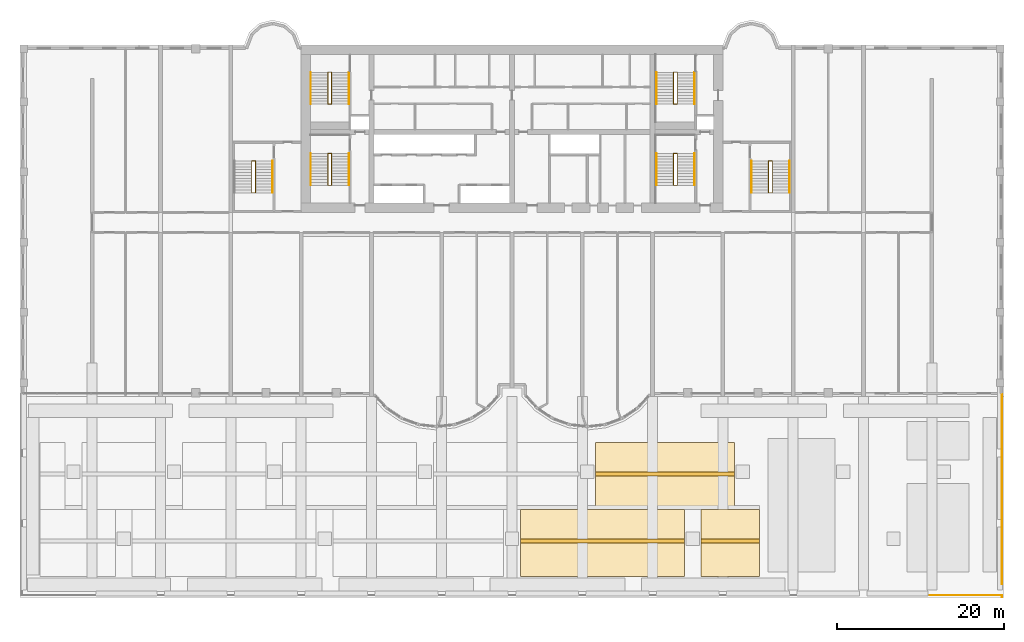
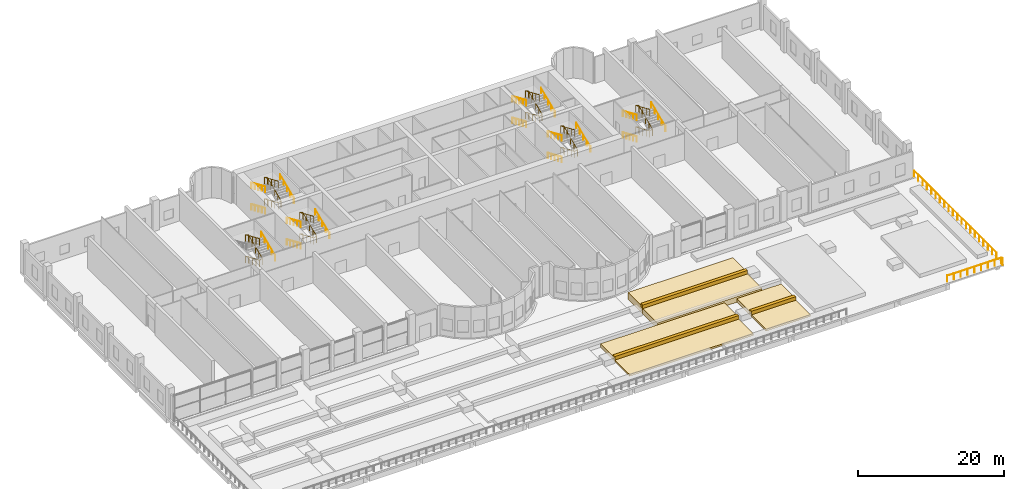
# One storey, part 19 of 20: 24 railings, 9 coverings.
"""IFC4 building model written with IfcOpenShell, lengths in metres."""

from ifc_helpers import new_model, si_unit, direction, frame, origin, origin_2d, place, context, subcontext, project, spatial, rectangle, circle, extrude, source, transform, mapped, material, layer, layer_set, type_object, element, save


model = new_model("IFC4")

# Units and contexts
model_context = context("Model", 3, precision=1e-05, world=origin(), true_north=direction((0.0, 1.0)))
body_context = subcontext(model_context, "Body", "Model", "MODEL_VIEW")
ifc_project = project(units=[si_unit("LENGTHUNIT", "METRE"), si_unit("AREAUNIT", "SQUARE_METRE"), si_unit("VOLUMEUNIT", "CUBIC_METRE"), si_unit("PLANEANGLEUNIT", "RADIAN"), si_unit("MASSUNIT", "GRAM", prefix="KILO")], contexts=[model_context])

# Site, building, storey
site_placement = place(None, origin())
site = spatial("IfcSite", under=ifc_project, at=site_placement, CompositionType="ELEMENT")
building_placement = place(site_placement, origin())
building = spatial("IfcBuilding", under=site, at=building_placement, Name="Vanashikhar Sky Hotel", CompositionType="ELEMENT")
storey_placement = place(building_placement, frame((0.0, 0.0, 6.0)))
storey = spatial("IfcBuildingStorey", under=building, at=storey_placement, Name="L01", CompositionType="ELEMENT", Elevation=6.0)

# Coverings
ifc_material_1 = material(Name="Paving stone", Category="masonry")
ifc_layer = layer(ifc_material_1, 0.14990234375)
ifc_layer_set = layer_set([ifc_layer], Name="Garden terrace step paving")
covering_type_1 = type_object("IfcCoveringType", Name="Garden terrace step paving", PredefinedType="FLOORING", material=ifc_layer_set)
shared_shape_1 = source(origin(), body_context, "Body", "SweptSolid", [
    extrude(rectangle(XDim=19.60009765625, YDim=4.0, at=origin_2d()), origin(), (0.0, 0.0, 1.0), 0.300048828125),
])
covering_1_placement = place(storey_placement, frame((61.199951171875, -19.5, 0.0), z_axis=(0.0, 0.0, 1.0), x_axis=(1.0, 0.0, 0.0)))
element("IfcCovering", 1, at=covering_1_placement, inside=storey, type_object=covering_type_1, Name="Garden terrace step paving", PredefinedType="FLOORING", context=body_context, shape_type="MappedRepresentation", body=[
    mapped(shared_shape_1, transform((0.0, 0.0, 0.0), scale=1.0)),
])
shared_shape_2 = source(origin(), body_context, "Body", "SweptSolid", [
    extrude(rectangle(XDim=7.0, YDim=4.0, at=origin_2d()), origin(), (0.0, 0.0, 1.0), 0.300048828125),
])
covering_2_placement = place(storey_placement, frame((76.5, -19.5, 0.0), z_axis=(0.0, 0.0, 1.0), x_axis=(1.0, 0.0, 0.0)))
element("IfcCovering", 2, at=covering_2_placement, inside=storey, type_object=covering_type_1, Name="Garden terrace step paving", PredefinedType="FLOORING", context=body_context, shape_type="MappedRepresentation", body=[
    mapped(shared_shape_2, transform((0.0, 0.0, 0.0), scale=1.0)),
])
shared_shape_3 = source(origin(), body_context, "Body", "SweptSolid", [
    extrude(rectangle(XDim=19.60009765625, YDim=4.0, at=origin_2d()), origin(), (0.0, 0.0, 1.0), 0.60009765625),
])
covering_3_placement = place(storey_placement, frame((61.199951171875, -15.5, 0.0), z_axis=(0.0, 0.0, 1.0), x_axis=(1.0, 0.0, 0.0)))
element("IfcCovering", 3, at=covering_3_placement, inside=storey, type_object=covering_type_1, Name="Garden terrace step paving", PredefinedType="FLOORING", context=body_context, shape_type="MappedRepresentation", body=[
    mapped(shared_shape_3, transform((0.0, 0.0, 0.0), scale=1.0)),
])
shared_shape_4 = source(origin(), body_context, "Body", "SweptSolid", [
    extrude(rectangle(XDim=7.0, YDim=4.0, at=origin_2d()), origin(), (0.0, 0.0, 1.0), 0.60009765625),
])
covering_4_placement = place(storey_placement, frame((76.5, -15.5, 0.0), z_axis=(0.0, 0.0, 1.0), x_axis=(1.0, 0.0, 0.0)))
element("IfcCovering", 4, at=covering_4_placement, inside=storey, type_object=covering_type_1, Name="Garden terrace step paving", PredefinedType="FLOORING", context=body_context, shape_type="MappedRepresentation", body=[
    mapped(shared_shape_4, transform((0.0, 0.0, 0.0), scale=1.0)),
])
ifc_material_2 = material(Name="Concrete M50 precast", Category="concrete")
covering_type_2 = type_object("IfcCoveringType", Name="Garden planter wall", PredefinedType="CLADDING", material=ifc_material_2)
shared_shape_5 = source(origin(), body_context, "Body", "SweptSolid", [
    extrude(rectangle(XDim=19.60009765625, YDim=0.5, at=origin_2d()), origin(), (0.0, 0.0, 1.0), 0.60009765625),
])
covering_5_placement = place(storey_placement, frame((61.199951171875, -17.25, 0.300048828125), z_axis=(0.0, 0.0, 1.0), x_axis=(1.0, 0.0, 0.0)))
element("IfcCovering", 5, at=covering_5_placement, inside=storey, type_object=covering_type_2, Name="Garden planter wall", PredefinedType="CLADDING", context=body_context, shape_type="MappedRepresentation", body=[
    mapped(shared_shape_5, transform((0.0, 0.0, 0.0), scale=1.0)),
])
shared_shape_6 = source(origin(), body_context, "Body", "SweptSolid", [
    extrude(rectangle(XDim=7.0, YDim=0.5, at=origin_2d()), origin(), (0.0, 0.0, 1.0), 0.60009765625),
])
covering_6_placement = place(storey_placement, frame((76.5, -17.25, 0.300048828125), z_axis=(0.0, 0.0, 1.0), x_axis=(1.0, 0.0, 0.0)))
element("IfcCovering", 6, at=covering_6_placement, inside=storey, type_object=covering_type_2, Name="Garden planter wall", PredefinedType="CLADDING", context=body_context, shape_type="MappedRepresentation", body=[
    mapped(shared_shape_6, transform((0.0, 0.0, 0.0), scale=1.0)),
])
shared_shape_7 = source(origin(), body_context, "Body", "SweptSolid", [
    extrude(rectangle(XDim=16.60009765625, YDim=4.0, at=origin_2d()), origin(), (0.0, 0.0, 1.0), 0.89990234375),
])
covering_7_placement = place(storey_placement, frame((68.699951171875, -11.5, 0.0), z_axis=(0.0, 0.0, 1.0), x_axis=(1.0, 0.0, 0.0)))
element("IfcCovering", 7, at=covering_7_placement, inside=storey, type_object=covering_type_1, Name="Garden terrace step paving", PredefinedType="FLOORING", context=body_context, shape_type="MappedRepresentation", body=[
    mapped(shared_shape_7, transform((0.0, 0.0, 0.0), scale=1.0)),
])
shared_shape_8 = source(origin(), body_context, "Body", "SweptSolid", [
    extrude(rectangle(XDim=16.60009765625, YDim=4.0, at=origin_2d()), origin(), (0.0, 0.0, 1.0), 1.199951171875),
])
covering_8_placement = place(storey_placement, frame((68.699951171875, -7.5, 0.0), z_axis=(0.0, 0.0, 1.0), x_axis=(1.0, 0.0, 0.0)))
element("IfcCovering", 8, at=covering_8_placement, inside=storey, type_object=covering_type_1, Name="Garden terrace step paving", PredefinedType="FLOORING", context=body_context, shape_type="MappedRepresentation", body=[
    mapped(shared_shape_8, transform((0.0, 0.0, 0.0), scale=1.0)),
])
shared_shape_9 = source(origin(), body_context, "Body", "SweptSolid", [
    extrude(rectangle(XDim=16.60009765625, YDim=0.5, at=origin_2d()), origin(), (0.0, 0.0, 1.0), 0.60009765625),
])
covering_9_placement = place(storey_placement, frame((68.699951171875, -9.25, 0.89990234375), z_axis=(0.0, 0.0, 1.0), x_axis=(1.0, 0.0, 0.0)))
element("IfcCovering", 9, at=covering_9_placement, inside=storey, type_object=covering_type_2, Name="Garden planter wall", PredefinedType="CLADDING", context=body_context, shape_type="MappedRepresentation", body=[
    mapped(shared_shape_9, transform((0.0, 0.0, 0.0), scale=1.0)),
])

# Railings
ifc_material_3 = material(Name="Stainless steel 316", Category="steel")
railing_type_1 = type_object("IfcRailingType", Name="Deck guard 1100", PredefinedType="GUARDRAIL", material=ifc_material_3)
shared_shape_10 = source(origin(), body_context, "Body", "SweptSolid", [
    extrude(circle(Radius=0.02392578125, at=origin_2d()), frame((0.0, 0.0, 1.076171875), z_axis=(1.0, 0.0, 0.0), x_axis=(0.0, 1.0, 0.0)), (0.0, 0.0, 1.0), 8.58984375),
    extrude(circle(Radius=0.02392578125, at=origin_2d()), frame((8.58984375, 0.0, 1.076171875), z_axis=(0.0, -1.0, 0.0), x_axis=(1.0, 0.0, 0.0)), (0.0, 0.0, 1.0), 0.25),
    extrude(circle(Radius=0.02099609375, at=origin_2d()), origin(), (0.0, 0.0, 1.0), 1.052001953125),
    extrude(circle(Radius=0.02099609375, at=origin_2d()), frame((1.07373046875, 0.0, 0.0)), (0.0, 0.0, 1.0), 1.052001953125),
    extrude(circle(Radius=0.02099609375, at=origin_2d()), frame((2.1474609375, 0.0, 0.0)), (0.0, 0.0, 1.0), 1.052001953125),
    extrude(circle(Radius=0.02099609375, at=origin_2d()), frame((3.22119140625, 0.0, 0.0)), (0.0, 0.0, 1.0), 1.052001953125),
    extrude(circle(Radius=0.02099609375, at=origin_2d()), frame((4.294921875, 0.0, 0.0)), (0.0, 0.0, 1.0), 1.052001953125),
    extrude(circle(Radius=0.02099609375, at=origin_2d()), frame((5.36865234375, 0.0, 0.0)), (0.0, 0.0, 1.0), 1.052001953125),
    extrude(circle(Radius=0.02099609375, at=origin_2d()), frame((6.4423828125, 0.0, 0.0)), (0.0, 0.0, 1.0), 1.052001953125),
    extrude(circle(Radius=0.02099609375, at=origin_2d()), frame((7.51611328125, 0.0, 0.0)), (0.0, 0.0, 1.0), 1.052001953125),
    extrude(circle(Radius=0.02099609375, at=origin_2d()), frame((8.58984375, 0.0, 0.0)), (0.0, 0.0, 1.0), 1.052001953125),
    extrude(circle(Radius=0.02099609375, at=origin_2d()), frame((8.58984375, -0.25, 0.0)), (0.0, 0.0, 1.0), 1.052001953125),
])
railing_1_placement = place(storey_placement, frame((100.360107421875, -23.75, 0.0)))
element("IfcRailing", 10, at=railing_1_placement, inside=storey, type_object=railing_type_1, Name="Deck guard", PredefinedType="GUARDRAIL", context=body_context, shape_type="MappedRepresentation", body=[
    mapped(shared_shape_10, transform((0.0, 0.0, 0.0), scale=1.0)),
])
shared_shape_11 = source(origin(), body_context, "Body", "SweptSolid", [
    extrude(circle(Radius=0.02392578125, at=origin_2d()), frame((0.0, 0.0, 1.076171875), z_axis=(0.0, 1.0, 0.0), x_axis=(-1.0, 0.0, 0.0)), (0.0, 0.0, 1.0), 22.64990234375),
    extrude(circle(Radius=0.02099609375, at=origin_2d()), origin(), (0.0, 0.0, 1.0), 1.052001953125),
    extrude(circle(Radius=0.02099609375, at=origin_2d()), frame((0.0, 1.192138671875, 0.0)), (0.0, 0.0, 1.0), 1.052001953125),
    extrude(circle(Radius=0.02099609375, at=origin_2d()), frame((0.0, 2.38427734375, 0.0)), (0.0, 0.0, 1.0), 1.052001953125),
    extrude(circle(Radius=0.02099609375, at=origin_2d()), frame((0.0, 3.576416015625, 0.0)), (0.0, 0.0, 1.0), 1.052001953125),
    extrude(circle(Radius=0.02099609375, at=origin_2d()), frame((0.0, 4.768310546875, 0.0)), (0.0, 0.0, 1.0), 1.052001953125),
    extrude(circle(Radius=0.02099609375, at=origin_2d()), frame((0.0, 5.96044921875, 0.0)), (0.0, 0.0, 1.0), 1.052001953125),
    extrude(circle(Radius=0.02099609375, at=origin_2d()), frame((0.0, 7.152587890625, 0.0)), (0.0, 0.0, 1.0), 1.052001953125),
    extrude(circle(Radius=0.02099609375, at=origin_2d()), frame((0.0, 8.3447265625, 0.0)), (0.0, 0.0, 1.0), 1.052001953125),
    extrude(circle(Radius=0.02099609375, at=origin_2d()), frame((0.0, 9.536865234375, 0.0)), (0.0, 0.0, 1.0), 1.052001953125),
    extrude(circle(Radius=0.02099609375, at=origin_2d()), frame((0.0, 10.72900390625, 0.0)), (0.0, 0.0, 1.0), 1.052001953125),
    extrude(circle(Radius=0.02099609375, at=origin_2d()), frame((0.0, 11.9208984375, 0.0)), (0.0, 0.0, 1.0), 1.052001953125),
    extrude(circle(Radius=0.02099609375, at=origin_2d()), frame((0.0, 13.113037109375, 0.0)), (0.0, 0.0, 1.0), 1.052001953125),
    extrude(circle(Radius=0.02099609375, at=origin_2d()), frame((0.0, 14.30517578125, 0.0)), (0.0, 0.0, 1.0), 1.052001953125),
    extrude(circle(Radius=0.02099609375, at=origin_2d()), frame((0.0, 15.497314453125, 0.0)), (0.0, 0.0, 1.0), 1.052001953125),
    extrude(circle(Radius=0.02099609375, at=origin_2d()), frame((0.0, 16.689453125, 0.0)), (0.0, 0.0, 1.0), 1.052001953125),
    extrude(circle(Radius=0.02099609375, at=origin_2d()), frame((0.0, 17.881591796875, 0.0)), (0.0, 0.0, 1.0), 1.052001953125),
    extrude(circle(Radius=0.02099609375, at=origin_2d()), frame((0.0, 19.073486328125, 0.0)), (0.0, 0.0, 1.0), 1.052001953125),
    extrude(circle(Radius=0.02099609375, at=origin_2d()), frame((0.0, 20.265625, 0.0)), (0.0, 0.0, 1.0), 1.052001953125),
    extrude(circle(Radius=0.02099609375, at=origin_2d()), frame((0.0, 21.457763671875, 0.0)), (0.0, 0.0, 1.0), 1.052001953125),
    extrude(circle(Radius=0.02099609375, at=origin_2d()), frame((0.0, 22.64990234375, 0.0)), (0.0, 0.0, 1.0), 1.052001953125),
])
railing_2_placement = place(storey_placement, frame((108.949951171875, -22.39990234375, 0.0)))
element("IfcRailing", 11, at=railing_2_placement, inside=storey, type_object=railing_type_1, Name="Deck guard", PredefinedType="GUARDRAIL", context=body_context, shape_type="MappedRepresentation", body=[
    mapped(shared_shape_11, transform((0.0, 0.0, 0.0), scale=1.0)),
])
ifc_material_4 = material(Name="Steel S355", Category="steel")
railing_type_2 = type_object("IfcRailingType", Name="Stair guard 1100", PredefinedType="GUARDRAIL", material=ifc_material_4)
shared_shape_12 = source(origin(), body_context, "Body", "SweptSolid", [
    extrude(circle(Radius=0.02392578125, at=origin_2d()), frame((0.0, 0.0, 1.076171875), z_axis=(-0.948786153043, 0.0, 0.315919033605), x_axis=(0.0, -1.0, 0.0)), (0.0, 0.0, 1.0), 0.474609375),
    extrude(circle(Radius=0.02392578125, at=origin_2d()), frame((-0.4501953125, 0.0, 1.22607421875), z_axis=(0.0, -0.917250781605, 0.398310185215), x_axis=(1.0, 0.0, 0.0)), (0.0, 0.0, 1.0), 4.142822265625),
    extrude(circle(Radius=0.02392578125, at=origin_2d()), frame((-0.4501953125, -3.800048828125, 2.8759765625), z_axis=(0.948786153043, 0.0, 0.315919033605), x_axis=(0.0, 1.0, 0.0)), (0.0, 0.0, 1.0), 0.474609375),
    extrude(circle(Radius=0.02392578125, at=origin_2d()), frame((0.0, -3.800048828125, 3.02587890625), z_axis=(0.0, 0.917250781605, 0.398310185215), x_axis=(-1.0, 0.0, 0.0)), (0.0, 0.0, 1.0), 4.142822265625),
    extrude(circle(Radius=0.02392578125, at=origin_2d()), frame((0.0, 0.0, 4.67626953125), z_axis=(-0.948786153043, 0.0, 0.315919033605), x_axis=(0.0, -1.0, 0.0)), (0.0, 0.0, 1.0), 0.474609375),
    extrude(circle(Radius=0.02392578125, at=origin_2d()), frame((-0.4501953125, 0.0, 4.826171875), z_axis=(0.0, -0.91727231099, 0.398260602484), x_axis=(1.0, 0.0, 0.0)), (0.0, 0.0, 1.0), 4.142822265625),
    extrude(circle(Radius=0.02099609375, at=origin_2d()), origin(), (0.0, 0.0, 1.0), 1.052001953125),
    extrude(circle(Radius=0.02099609375, at=origin_2d()), frame((-0.4501953125, 0.0, 0.14990234375)), (0.0, 0.0, 1.0), 1.052001953125),
    extrude(circle(Radius=0.02099609375, at=origin_2d()), frame((-0.4501953125, -0.949951171875, 0.5625)), (0.0, 0.0, 1.0), 1.052001953125),
    extrude(circle(Radius=0.02099609375, at=origin_2d()), frame((-0.4501953125, -1.89990234375, 0.97509765625)), (0.0, 0.0, 1.0), 1.052001953125),
    extrude(circle(Radius=0.02099609375, at=origin_2d()), frame((-0.4501953125, -2.85009765625, 1.387451171875)), (0.0, 0.0, 1.0), 1.052001953125),
    extrude(circle(Radius=0.02099609375, at=origin_2d()), frame((-0.4501953125, -3.800048828125, 1.800048828125)), (0.0, 0.0, 1.0), 1.052001953125),
    extrude(circle(Radius=0.02099609375, at=origin_2d()), frame((0.0, -3.800048828125, 1.949951171875)), (0.0, 0.0, 1.0), 1.052001953125),
    extrude(circle(Radius=0.02099609375, at=origin_2d()), frame((0.0, -2.85009765625, 2.362548828125)), (0.0, 0.0, 1.0), 1.052001953125),
    extrude(circle(Radius=0.02099609375, at=origin_2d()), frame((0.0, -1.89990234375, 2.77490234375)), (0.0, 0.0, 1.0), 1.052001953125),
    extrude(circle(Radius=0.02099609375, at=origin_2d()), frame((0.0, -0.949951171875, 3.1875)), (0.0, 0.0, 1.0), 1.052001953125),
    extrude(circle(Radius=0.02099609375, at=origin_2d()), frame((0.0, 0.0, 3.60009765625)), (0.0, 0.0, 1.0), 1.052001953125),
    extrude(circle(Radius=0.02099609375, at=origin_2d()), frame((-0.4501953125, 0.0, 3.75)), (0.0, 0.0, 1.0), 1.052001953125),
    extrude(circle(Radius=0.02099609375, at=origin_2d()), frame((-0.4501953125, -0.949951171875, 4.16259765625)), (0.0, 0.0, 1.0), 1.052001953125),
    extrude(circle(Radius=0.02099609375, at=origin_2d()), frame((-0.4501953125, -1.89990234375, 4.574951171875)), (0.0, 0.0, 1.0), 1.052001953125),
    extrude(circle(Radius=0.02099609375, at=origin_2d()), frame((-0.4501953125, -2.85009765625, 4.9873046875)), (0.0, 0.0, 1.0), 1.052001953125),
    extrude(circle(Radius=0.02099609375, at=origin_2d()), frame((-0.4501953125, -3.800048828125, 5.39990234375)), (0.0, 0.0, 1.0), 1.052001953125),
])
for number, where, name in (
    (12, (28.85009765625, 29.050048828125, 0.0), "Exit stair 1 guard"),
    (13, (28.85009765625, 38.75, 0.0), "Exit stair 5 guard"),
):
    element("IfcRailing", number, at=place(storey_placement, frame(where)), inside=storey, type_object=railing_type_2, Name=name, PredefinedType="GUARDRAIL", context=body_context, shape_type="MappedRepresentation", body=[
        mapped(shared_shape_12, transform((0.0, 0.0, 0.0), scale=1.0)),
    ])
railing_type_3 = type_object("IfcRailingType", Name="Stair handrail 900", PredefinedType="HANDRAIL", material=ifc_material_4)
shared_shape_13 = source(origin(), body_context, "Body", "SweptSolid", [
    extrude(circle(Radius=0.02392578125, at=origin_2d()), frame((0.0, 0.0, 0.8759765625), z_axis=(0.0, -0.917250781605, 0.398310185215), x_axis=(1.0, 0.0, 0.0)), (0.0, 0.0, 1.0), 4.142822265625),
    extrude(circle(Radius=0.02099609375, at=origin_2d()), origin(), (0.0, 0.0, 1.0), 0.851806640625),
    extrude(circle(Radius=0.02099609375, at=origin_2d()), frame((0.0, -0.949951171875, 0.41259765625)), (0.0, 0.0, 1.0), 0.851806640625),
    extrude(circle(Radius=0.02099609375, at=origin_2d()), frame((0.0, -1.89990234375, 0.8251953125)), (0.0, 0.0, 1.0), 0.851806640625),
    extrude(circle(Radius=0.02099609375, at=origin_2d()), frame((0.0, -2.85009765625, 1.237548828125)), (0.0, 0.0, 1.0), 0.851806640625),
    extrude(circle(Radius=0.02099609375, at=origin_2d()), frame((0.0, -3.800048828125, 1.650146484375)), (0.0, 0.0, 1.0), 0.851806640625),
])
for number, where, name in (
    (14, (26.35009765625, 29.050048828125, 0.14990234375), "Exit stair 1 handrail"),
    (15, (67.64990234375, 29.050048828125, 0.14990234375), "Exit stair 2 handrail"),
    (16, (26.35009765625, 38.75, 0.14990234375), "Exit stair 5 handrail"),
    (17, (67.64990234375, 38.75, 0.14990234375), "Exit stair 6 handrail"),
):
    element("IfcRailing", number, at=place(storey_placement, frame(where)), inside=storey, type_object=railing_type_3, Name=name, PredefinedType="HANDRAIL", context=body_context, shape_type="MappedRepresentation", body=[
        mapped(shared_shape_13, transform((0.0, 0.0, 0.0), scale=1.0)),
    ])
shared_shape_14 = source(origin(), body_context, "Body", "SweptSolid", [
    extrude(circle(Radius=0.02392578125, at=origin_2d()), frame((0.0, 0.0, 0.8759765625), z_axis=(0.0, 0.917250781605, 0.398310185215), x_axis=(-1.0, 0.0, 0.0)), (0.0, 0.0, 1.0), 4.142822265625),
    extrude(circle(Radius=0.02099609375, at=origin_2d()), origin(), (0.0, 0.0, 1.0), 0.851806640625),
    extrude(circle(Radius=0.02099609375, at=origin_2d()), frame((0.0, 0.949951171875, 0.41259765625)), (0.0, 0.0, 1.0), 0.851806640625),
    extrude(circle(Radius=0.02099609375, at=origin_2d()), frame((0.0, 1.89990234375, 0.8251953125)), (0.0, 0.0, 1.0), 0.851806640625),
    extrude(circle(Radius=0.02099609375, at=origin_2d()), frame((0.0, 2.85009765625, 1.237548828125)), (0.0, 0.0, 1.0), 0.851806640625),
    extrude(circle(Radius=0.02099609375, at=origin_2d()), frame((0.0, 3.800048828125, 1.650146484375)), (0.0, 0.0, 1.0), 0.851806640625),
])
for number, where, name in (
    (18, (30.89990234375, 25.25, 1.949951171875), "Exit stair 1 handrail"),
    (19, (72.199951171875, 25.25, 1.949951171875), "Exit stair 2 handrail"),
    (20, (30.89990234375, 34.949951171875, 1.949951171875), "Exit stair 5 handrail"),
    (21, (72.199951171875, 34.949951171875, 1.949951171875), "Exit stair 6 handrail"),
):
    element("IfcRailing", number, at=place(storey_placement, frame(where)), inside=storey, type_object=railing_type_3, Name=name, PredefinedType="HANDRAIL", context=body_context, shape_type="MappedRepresentation", body=[
        mapped(shared_shape_14, transform((0.0, 0.0, 0.0), scale=1.0)),
    ])
shared_shape_15 = source(origin(), body_context, "Body", "SweptSolid", [
    extrude(circle(Radius=0.02392578125, at=origin_2d()), frame((0.0, 0.0, 0.8759765625), z_axis=(0.0, -0.91727231099, 0.398260602484), x_axis=(1.0, 0.0, 0.0)), (0.0, 0.0, 1.0), 4.142822265625),
    extrude(circle(Radius=0.02099609375, at=origin_2d()), origin(), (0.0, 0.0, 1.0), 0.851806640625),
    extrude(circle(Radius=0.02099609375, at=origin_2d()), frame((0.0, -0.949951171875, 0.41259765625)), (0.0, 0.0, 1.0), 0.851806640625),
    extrude(circle(Radius=0.02099609375, at=origin_2d()), frame((0.0, -1.89990234375, 0.824951171875)), (0.0, 0.0, 1.0), 0.851806640625),
    extrude(circle(Radius=0.02099609375, at=origin_2d()), frame((0.0, -2.85009765625, 1.2373046875)), (0.0, 0.0, 1.0), 0.851806640625),
    extrude(circle(Radius=0.02099609375, at=origin_2d()), frame((0.0, -3.800048828125, 1.64990234375)), (0.0, 0.0, 1.0), 0.851806640625),
])
for number, where, name in (
    (22, (26.35009765625, 29.050048828125, 3.75), "Exit stair 1 handrail"),
    (23, (67.64990234375, 29.050048828125, 3.75), "Exit stair 2 handrail"),
    (24, (26.35009765625, 38.75, 3.75), "Exit stair 5 handrail"),
    (25, (67.64990234375, 38.75, 3.75), "Exit stair 6 handrail"),
):
    element("IfcRailing", number, at=place(storey_placement, frame(where)), inside=storey, type_object=railing_type_3, Name=name, PredefinedType="HANDRAIL", context=body_context, shape_type="MappedRepresentation", body=[
        mapped(shared_shape_15, transform((0.0, 0.0, 0.0), scale=1.0)),
    ])
shared_shape_16 = source(origin(), body_context, "Body", "SweptSolid", [
    extrude(circle(Radius=0.02392578125, at=origin_2d()), frame((0.0, 0.0, 1.076171875), z_axis=(-0.948734763221, 0.0, 0.316073328604), x_axis=(0.0, -1.0, 0.0)), (0.0, 0.0, 1.0), 0.474365234375),
    extrude(circle(Radius=0.02392578125, at=origin_2d()), frame((-0.449951171875, 0.0, 1.22607421875), z_axis=(0.0, -0.917250781605, 0.398310185215), x_axis=(1.0, 0.0, 0.0)), (0.0, 0.0, 1.0), 4.142822265625),
    extrude(circle(Radius=0.02392578125, at=origin_2d()), frame((-0.449951171875, -3.800048828125, 2.8759765625), z_axis=(0.948734763221, 0.0, 0.316073328604), x_axis=(0.0, 1.0, 0.0)), (0.0, 0.0, 1.0), 0.474365234375),
    extrude(circle(Radius=0.02392578125, at=origin_2d()), frame((0.0, -3.800048828125, 3.02587890625), z_axis=(0.0, 0.917250781605, 0.398310185215), x_axis=(-1.0, 0.0, 0.0)), (0.0, 0.0, 1.0), 4.142822265625),
    extrude(circle(Radius=0.02392578125, at=origin_2d()), frame((0.0, 0.0, 4.67626953125), z_axis=(-0.948734763221, 0.0, 0.316073328604), x_axis=(0.0, -1.0, 0.0)), (0.0, 0.0, 1.0), 0.474365234375),
    extrude(circle(Radius=0.02392578125, at=origin_2d()), frame((-0.449951171875, 0.0, 4.826171875), z_axis=(0.0, -0.91727231099, 0.398260602484), x_axis=(1.0, 0.0, 0.0)), (0.0, 0.0, 1.0), 4.142822265625),
    extrude(circle(Radius=0.02099609375, at=origin_2d()), origin(), (0.0, 0.0, 1.0), 1.052001953125),
    extrude(circle(Radius=0.02099609375, at=origin_2d()), frame((-0.449951171875, 0.0, 0.14990234375)), (0.0, 0.0, 1.0), 1.052001953125),
    extrude(circle(Radius=0.02099609375, at=origin_2d()), frame((-0.449951171875, -0.949951171875, 0.5625)), (0.0, 0.0, 1.0), 1.052001953125),
    extrude(circle(Radius=0.02099609375, at=origin_2d()), frame((-0.449951171875, -1.89990234375, 0.97509765625)), (0.0, 0.0, 1.0), 1.052001953125),
    extrude(circle(Radius=0.02099609375, at=origin_2d()), frame((-0.449951171875, -2.85009765625, 1.387451171875)), (0.0, 0.0, 1.0), 1.052001953125),
    extrude(circle(Radius=0.02099609375, at=origin_2d()), frame((-0.449951171875, -3.800048828125, 1.800048828125)), (0.0, 0.0, 1.0), 1.052001953125),
    extrude(circle(Radius=0.02099609375, at=origin_2d()), frame((0.0, -3.800048828125, 1.949951171875)), (0.0, 0.0, 1.0), 1.052001953125),
    extrude(circle(Radius=0.02099609375, at=origin_2d()), frame((0.0, -2.85009765625, 2.362548828125)), (0.0, 0.0, 1.0), 1.052001953125),
    extrude(circle(Radius=0.02099609375, at=origin_2d()), frame((0.0, -1.89990234375, 2.77490234375)), (0.0, 0.0, 1.0), 1.052001953125),
    extrude(circle(Radius=0.02099609375, at=origin_2d()), frame((0.0, -0.949951171875, 3.1875)), (0.0, 0.0, 1.0), 1.052001953125),
    extrude(circle(Radius=0.02099609375, at=origin_2d()), frame((0.0, 0.0, 3.60009765625)), (0.0, 0.0, 1.0), 1.052001953125),
    extrude(circle(Radius=0.02099609375, at=origin_2d()), frame((-0.449951171875, 0.0, 3.75)), (0.0, 0.0, 1.0), 1.052001953125),
    extrude(circle(Radius=0.02099609375, at=origin_2d()), frame((-0.449951171875, -0.949951171875, 4.16259765625)), (0.0, 0.0, 1.0), 1.052001953125),
    extrude(circle(Radius=0.02099609375, at=origin_2d()), frame((-0.449951171875, -1.89990234375, 4.574951171875)), (0.0, 0.0, 1.0), 1.052001953125),
    extrude(circle(Radius=0.02099609375, at=origin_2d()), frame((-0.449951171875, -2.85009765625, 4.9873046875)), (0.0, 0.0, 1.0), 1.052001953125),
    extrude(circle(Radius=0.02099609375, at=origin_2d()), frame((-0.449951171875, -3.800048828125, 5.39990234375)), (0.0, 0.0, 1.0), 1.052001953125),
])
for number, where, name in (
    (26, (70.14990234375, 29.050048828125, 0.0), "Exit stair 2 guard"),
    (27, (70.14990234375, 38.75, 0.0), "Exit stair 6 guard"),
):
    element("IfcRailing", number, at=place(storey_placement, frame(where)), inside=storey, type_object=railing_type_2, Name=name, PredefinedType="GUARDRAIL", context=body_context, shape_type="MappedRepresentation", body=[
        mapped(shared_shape_16, transform((0.0, 0.0, 0.0), scale=1.0)),
    ])
shared_shape_17 = source(origin(), body_context, "Body", "SweptSolid", [
    extrude(circle(Radius=0.02392578125, at=origin_2d()), frame((0.0, 0.0, 1.076171875), z_axis=(-0.948734763221, 0.0, 0.316073328604), x_axis=(0.0, -1.0, 0.0)), (0.0, 0.0, 1.0), 0.474365234375),
    extrude(circle(Radius=0.02392578125, at=origin_2d()), frame((-0.449951171875, 0.0, 1.22607421875), z_axis=(0.0, -0.917241431489, 0.398331716489), x_axis=(1.0, 0.0, 0.0)), (0.0, 0.0, 1.0), 4.142578125),
    extrude(circle(Radius=0.02392578125, at=origin_2d()), frame((-0.449951171875, -3.7998046875, 2.8759765625), z_axis=(0.948734763221, 0.0, 0.316073328604), x_axis=(0.0, 1.0, 0.0)), (0.0, 0.0, 1.0), 0.474365234375),
    extrude(circle(Radius=0.02392578125, at=origin_2d()), frame((0.0, -3.7998046875, 3.02587890625), z_axis=(0.0, 0.917241431489, 0.398331716489), x_axis=(-1.0, 0.0, 0.0)), (0.0, 0.0, 1.0), 4.142578125),
    extrude(circle(Radius=0.02392578125, at=origin_2d()), frame((0.0, 0.0, 4.67626953125), z_axis=(-0.948734763221, 0.0, 0.316073328604), x_axis=(0.0, -1.0, 0.0)), (0.0, 0.0, 1.0), 0.474365234375),
    extrude(circle(Radius=0.02392578125, at=origin_2d()), frame((-0.449951171875, 0.0, 4.826171875), z_axis=(0.0, -0.917262962982, 0.398282132089), x_axis=(1.0, 0.0, 0.0)), (0.0, 0.0, 1.0), 4.142578125),
    extrude(circle(Radius=0.02099609375, at=origin_2d()), origin(), (0.0, 0.0, 1.0), 1.052001953125),
    extrude(circle(Radius=0.02099609375, at=origin_2d()), frame((-0.449951171875, 0.0, 0.14990234375)), (0.0, 0.0, 1.0), 1.052001953125),
    extrude(circle(Radius=0.02099609375, at=origin_2d()), frame((-0.449951171875, -0.949951171875, 0.5625)), (0.0, 0.0, 1.0), 1.052001953125),
    extrude(circle(Radius=0.02099609375, at=origin_2d()), frame((-0.449951171875, -1.89990234375, 0.97509765625)), (0.0, 0.0, 1.0), 1.052001953125),
    extrude(circle(Radius=0.02099609375, at=origin_2d()), frame((-0.449951171875, -2.849853515625, 1.387451171875)), (0.0, 0.0, 1.0), 1.052001953125),
    extrude(circle(Radius=0.02099609375, at=origin_2d()), frame((-0.449951171875, -3.7998046875, 1.800048828125)), (0.0, 0.0, 1.0), 1.052001953125),
    extrude(circle(Radius=0.02099609375, at=origin_2d()), frame((0.0, -3.7998046875, 1.949951171875)), (0.0, 0.0, 1.0), 1.052001953125),
    extrude(circle(Radius=0.02099609375, at=origin_2d()), frame((0.0, -2.849853515625, 2.362548828125)), (0.0, 0.0, 1.0), 1.052001953125),
    extrude(circle(Radius=0.02099609375, at=origin_2d()), frame((0.0, -1.89990234375, 2.77490234375)), (0.0, 0.0, 1.0), 1.052001953125),
    extrude(circle(Radius=0.02099609375, at=origin_2d()), frame((0.0, -0.949951171875, 3.1875)), (0.0, 0.0, 1.0), 1.052001953125),
    extrude(circle(Radius=0.02099609375, at=origin_2d()), frame((0.0, 0.0, 3.60009765625)), (0.0, 0.0, 1.0), 1.052001953125),
    extrude(circle(Radius=0.02099609375, at=origin_2d()), frame((-0.449951171875, 0.0, 3.75)), (0.0, 0.0, 1.0), 1.052001953125),
    extrude(circle(Radius=0.02099609375, at=origin_2d()), frame((-0.449951171875, -0.949951171875, 4.16259765625)), (0.0, 0.0, 1.0), 1.052001953125),
    extrude(circle(Radius=0.02099609375, at=origin_2d()), frame((-0.449951171875, -1.89990234375, 4.574951171875)), (0.0, 0.0, 1.0), 1.052001953125),
    extrude(circle(Radius=0.02099609375, at=origin_2d()), frame((-0.449951171875, -2.849853515625, 4.9873046875)), (0.0, 0.0, 1.0), 1.052001953125),
    extrude(circle(Radius=0.02099609375, at=origin_2d()), frame((-0.449951171875, -3.7998046875, 5.39990234375)), (0.0, 0.0, 1.0), 1.052001953125),
])
for number, where, name in (
    (28, (19.75, 28.14990234375, 0.0), "Exit stair 3 guard"),
    (29, (81.5, 28.14990234375, 0.0), "Exit stair 4 guard"),
):
    element("IfcRailing", number, at=place(storey_placement, frame(where)), inside=storey, type_object=railing_type_2, Name=name, PredefinedType="GUARDRAIL", context=body_context, shape_type="MappedRepresentation", body=[
        mapped(shared_shape_17, transform((0.0, 0.0, 0.0), scale=1.0)),
    ])
shared_shape_18 = source(origin(), body_context, "Body", "SweptSolid", [
    extrude(circle(Radius=0.02392578125, at=origin_2d()), frame((0.0, 0.0, 0.8759765625), z_axis=(0.0, -0.917241431489, 0.398331716489), x_axis=(1.0, 0.0, 0.0)), (0.0, 0.0, 1.0), 4.142578125),
    extrude(circle(Radius=0.02099609375, at=origin_2d()), origin(), (0.0, 0.0, 1.0), 0.851806640625),
    extrude(circle(Radius=0.02099609375, at=origin_2d()), frame((0.0, -0.949951171875, 0.41259765625)), (0.0, 0.0, 1.0), 0.851806640625),
    extrude(circle(Radius=0.02099609375, at=origin_2d()), frame((0.0, -1.89990234375, 0.8251953125)), (0.0, 0.0, 1.0), 0.851806640625),
    extrude(circle(Radius=0.02099609375, at=origin_2d()), frame((0.0, -2.849853515625, 1.237548828125)), (0.0, 0.0, 1.0), 0.851806640625),
    extrude(circle(Radius=0.02099609375, at=origin_2d()), frame((0.0, -3.7998046875, 1.650146484375)), (0.0, 0.0, 1.0), 0.851806640625),
])
railing_3_placement = place(storey_placement, frame((79.0, 28.14990234375, 0.14990234375)))
element("IfcRailing", 30, at=railing_3_placement, inside=storey, type_object=railing_type_3, Name="Exit stair 4 handrail", PredefinedType="HANDRAIL", context=body_context, shape_type="MappedRepresentation", body=[
    mapped(shared_shape_18, transform((0.0, 0.0, 0.0), scale=1.0)),
])
shared_shape_19 = source(origin(), body_context, "Body", "SweptSolid", [
    extrude(circle(Radius=0.02392578125, at=origin_2d()), frame((0.0, 0.0, 0.8759765625), z_axis=(0.0, 0.917241431489, 0.398331716489), x_axis=(-1.0, 0.0, 0.0)), (0.0, 0.0, 1.0), 4.142578125),
    extrude(circle(Radius=0.02099609375, at=origin_2d()), origin(), (0.0, 0.0, 1.0), 0.851806640625),
    extrude(circle(Radius=0.02099609375, at=origin_2d()), frame((0.0, 0.949951171875, 0.41259765625)), (0.0, 0.0, 1.0), 0.851806640625),
    extrude(circle(Radius=0.02099609375, at=origin_2d()), frame((0.0, 1.89990234375, 0.8251953125)), (0.0, 0.0, 1.0), 0.851806640625),
    extrude(circle(Radius=0.02099609375, at=origin_2d()), frame((0.0, 2.849853515625, 1.237548828125)), (0.0, 0.0, 1.0), 0.851806640625),
    extrude(circle(Radius=0.02099609375, at=origin_2d()), frame((0.0, 3.7998046875, 1.650146484375)), (0.0, 0.0, 1.0), 0.851806640625),
])
for number, where, name in (
    (31, (21.800048828125, 24.35009765625, 1.949951171875), "Exit stair 3 handrail"),
    (32, (83.550048828125, 24.35009765625, 1.949951171875), "Exit stair 4 handrail"),
):
    element("IfcRailing", number, at=place(storey_placement, frame(where)), inside=storey, type_object=railing_type_3, Name=name, PredefinedType="HANDRAIL", context=body_context, shape_type="MappedRepresentation", body=[
        mapped(shared_shape_19, transform((0.0, 0.0, 0.0), scale=1.0)),
    ])
shared_shape_20 = source(origin(), body_context, "Body", "SweptSolid", [
    extrude(circle(Radius=0.02392578125, at=origin_2d()), frame((0.0, 0.0, 0.8759765625), z_axis=(0.0, -0.917262962982, 0.398282132089), x_axis=(1.0, 0.0, 0.0)), (0.0, 0.0, 1.0), 4.142578125),
    extrude(circle(Radius=0.02099609375, at=origin_2d()), origin(), (0.0, 0.0, 1.0), 0.851806640625),
    extrude(circle(Radius=0.02099609375, at=origin_2d()), frame((0.0, -0.949951171875, 0.41259765625)), (0.0, 0.0, 1.0), 0.851806640625),
    extrude(circle(Radius=0.02099609375, at=origin_2d()), frame((0.0, -1.89990234375, 0.824951171875)), (0.0, 0.0, 1.0), 0.851806640625),
    extrude(circle(Radius=0.02099609375, at=origin_2d()), frame((0.0, -2.849853515625, 1.2373046875)), (0.0, 0.0, 1.0), 0.851806640625),
    extrude(circle(Radius=0.02099609375, at=origin_2d()), frame((0.0, -3.7998046875, 1.64990234375)), (0.0, 0.0, 1.0), 0.851806640625),
])
railing_4_placement = place(storey_placement, frame((79.0, 28.14990234375, 3.75)))
element("IfcRailing", 33, at=railing_4_placement, inside=storey, type_object=railing_type_3, Name="Exit stair 4 handrail", PredefinedType="HANDRAIL", context=body_context, shape_type="MappedRepresentation", body=[
    mapped(shared_shape_20, transform((0.0, 0.0, 0.0), scale=1.0)),
])

save(model, "model.ifc")
